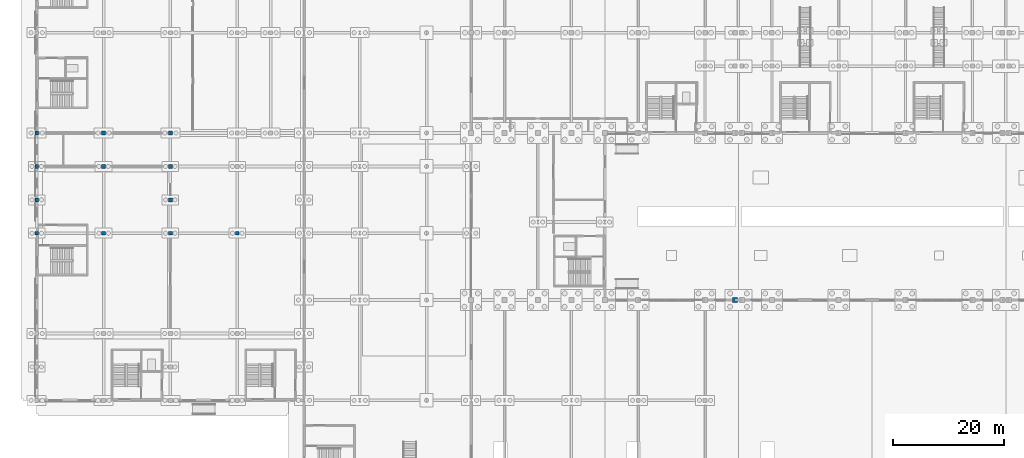
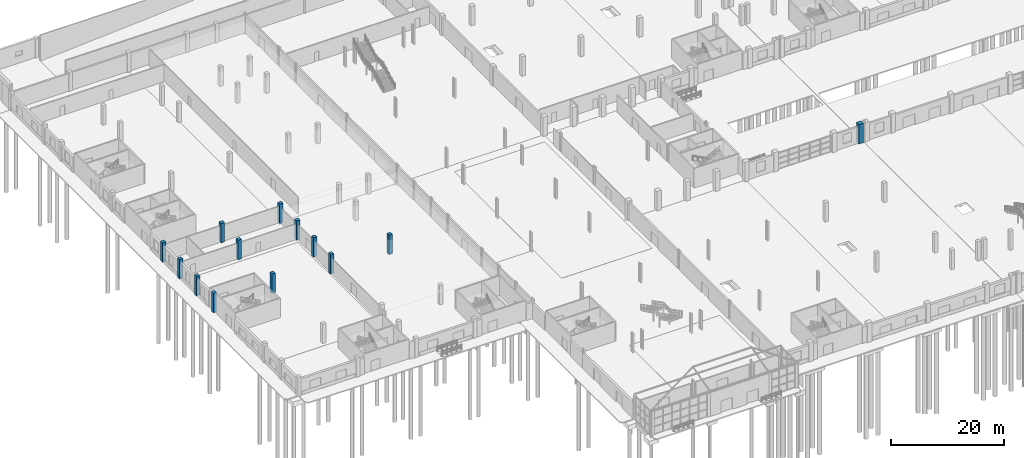
# One storey, part 17 of 77: 13 columns.
"""IFC4 building model written with IfcOpenShell, lengths in metres."""

from ifc_helpers import new_model, si_unit, direction, frame, origin, origin_2d, place, context, subcontext, project, spatial, rectangle, extrude, material, material_profile, profile_set, type_object, element, save


model = new_model("IFC4")

# Units and contexts
model_context = context("Model", 3, precision=1e-05, world=origin(), true_north=direction((0.0, 1.0)))
body_context = subcontext(model_context, "Body", "Model", "MODEL_VIEW")
ifc_project = project(units=[si_unit("LENGTHUNIT", "METRE"), si_unit("AREAUNIT", "SQUARE_METRE"), si_unit("VOLUMEUNIT", "CUBIC_METRE"), si_unit("PLANEANGLEUNIT", "RADIAN"), si_unit("MASSUNIT", "GRAM", prefix="KILO")], contexts=[model_context])

# Site, building, storey
site_placement = place(None, origin())
site = spatial("IfcSite", under=ifc_project, at=site_placement, CompositionType="ELEMENT")
building_placement = place(site_placement, origin())
building = spatial("IfcBuilding", under=site, at=building_placement, Name="Zilviju Railside Exhibition Hall", CompositionType="ELEMENT")
storey_placement = place(building_placement, origin())
storey = spatial("IfcBuildingStorey", under=building, at=storey_placement, Name="L01", CompositionType="ELEMENT", Elevation=0.0)

# Columns
ifc_material_1 = material(Name="Concrete C35/45", Category="concrete")
ifc_material_profile_1 = material_profile(ifc_material_1, rectangle(XDim=0.699951171875, YDim=0.699951171875, at=origin_2d()), Name="RC COL 700x700")
ifc_profile_set_1 = profile_set([ifc_material_profile_1], Name="Concrete C35/45")
column_type_1 = type_object("IfcColumnType", Name="COL-RC-700", PredefinedType="COLUMN", material=ifc_profile_set_1)
for number, where, z_axis, x_axis, name in (
    (1, (0.0, 66.0, 0.0), (0.0, 0.0, 1.0), (1.0, 0.0, 0.0), "Structural Column L01 (0.0, 66.0)"),
    (2, (12.0, 66.0, 0.0), (0.0, 0.0, 1.0), (1.0, 0.0, 0.0), "Structural Column L01 (12.0, 66.0)"),
    (3, (24.0, 66.0, 0.0), (0.0, 0.0, 1.0), (1.0, 0.0, 0.0), "Structural Column L01 (24.0, 66.0)"),
    (4, (36.0, 66.0, 0.0), (0.0, 0.0, 1.0), (1.0, 0.0, 0.0), "Structural Column L01 (36.0, 66.0)"),
    (5, (0.0, 72.0, 0.0), (0.0, 0.0, 1.0), (1.0, 0.0, 0.0), "Structural Column L01 (0.0, 72.0)"),
    (6, (24.0, 72.0, 0.0), (0.0, 0.0, 1.0), (1.0, 0.0, 0.0), "Structural Column L01 (24.0, 72.0)"),
    (7, (0.0, 78.0, 0.0), (0.0, 0.0, 1.0), (1.0, 0.0, 0.0), "Structural Column L01 (0.0, 78.0)"),
    (8, (12.0, 78.0, 0.0), (0.0, 0.0, 1.0), (1.0, 0.0, 0.0), "Structural Column L01 (12.0, 78.0)"),
    (9, (24.0, 78.0, 0.0), (0.0, 0.0, 1.0), (1.0, 0.0, 0.0), "Structural Column L01 (24.0, 78.0)"),
    (10, (0.0, 84.0, 0.0), (0.0, 0.0, 1.0), (1.0, 0.0, 0.0), "Structural Column L01 (0.0, 84.0)"),
    (11, (12.0, 84.0, 0.0), (0.0, 0.0, 1.0), (1.0, 0.0, 0.0), "Structural Column L01 (12.0, 84.0)"),
    (12, (24.0, 84.0, 0.0), (0.0, 0.0, 1.0), (1.0, 0.0, 0.0), "Structural Column L01 (24.0, 84.0)"),
):
    element("IfcColumn", number, at=place(storey_placement, frame(where, z_axis=z_axis, x_axis=x_axis)), inside=storey, type_object=column_type_1, Name=name, PredefinedType="COLUMN", context=body_context, shape_type="SweptSolid", body=[
        extrude(rectangle(XDim=0.699951171875, YDim=0.699951171875, at=origin_2d()), origin(), (0.0, 0.0, 1.0), 4.199951171875),
    ])
ifc_material_2 = material(Name="Concrete C40/50", Category="concrete")
ifc_material_profile_2 = material_profile(ifc_material_2, rectangle(XDim=0.89990234375, YDim=0.89990234375, at=origin_2d()), Name="RC COL 900x900")
ifc_profile_set_2 = profile_set([ifc_material_profile_2], Name="Concrete C40/50")
column_type_2 = type_object("IfcColumnType", Name="COL-RC-900", PredefinedType="COLUMN", material=ifc_profile_set_2)
column_placement = place(storey_placement, frame((125.39990234375, 54.0, 0.0), z_axis=(0.0, 0.0, 1.0), x_axis=(1.0, 0.0, 0.0)))
element("IfcColumn", 13, at=column_placement, inside=storey, type_object=column_type_2, Name="Structural Column L01 (125.4, 54.0)", PredefinedType="COLUMN", context=body_context, shape_type="SweptSolid", body=[
    extrude(rectangle(XDim=0.89990234375, YDim=0.89990234375, at=origin_2d()), origin(), (0.0, 0.0, 1.0), 4.199951171875),
])

save(model, "model.ifc")
